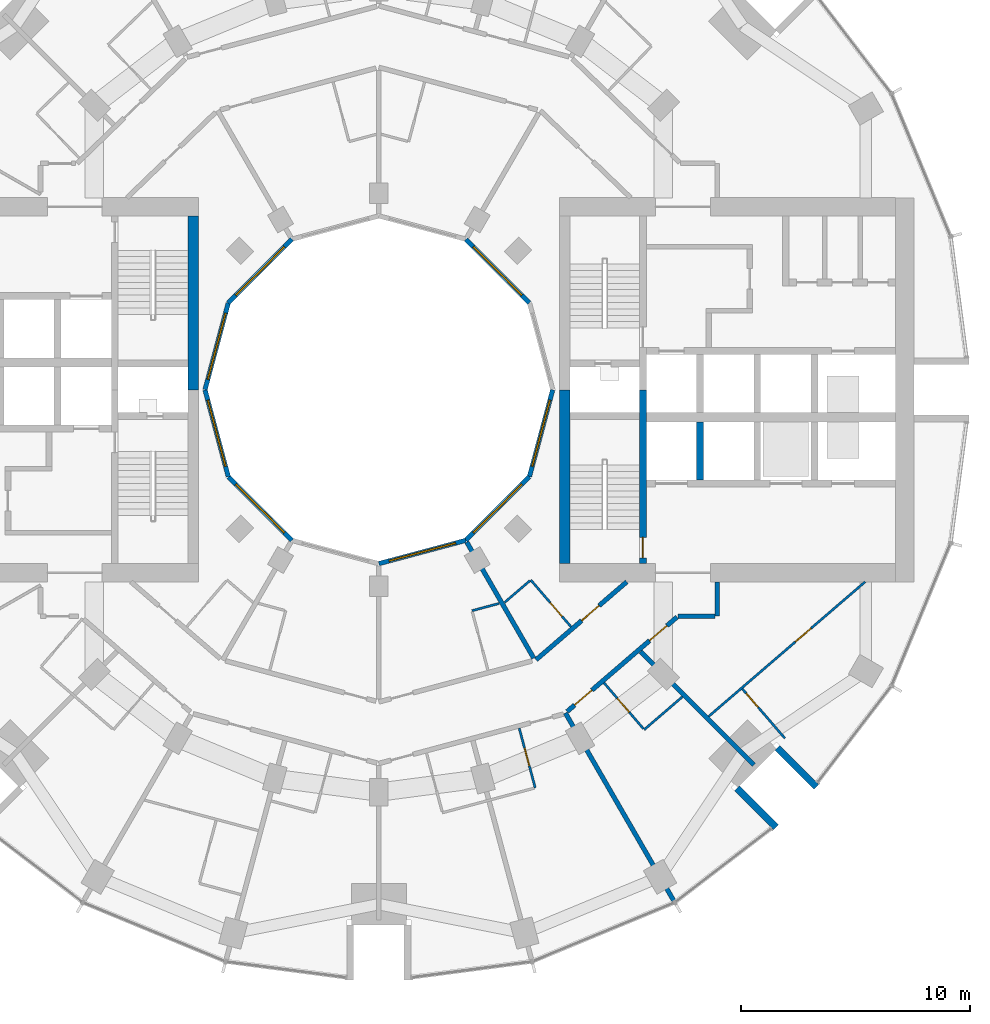
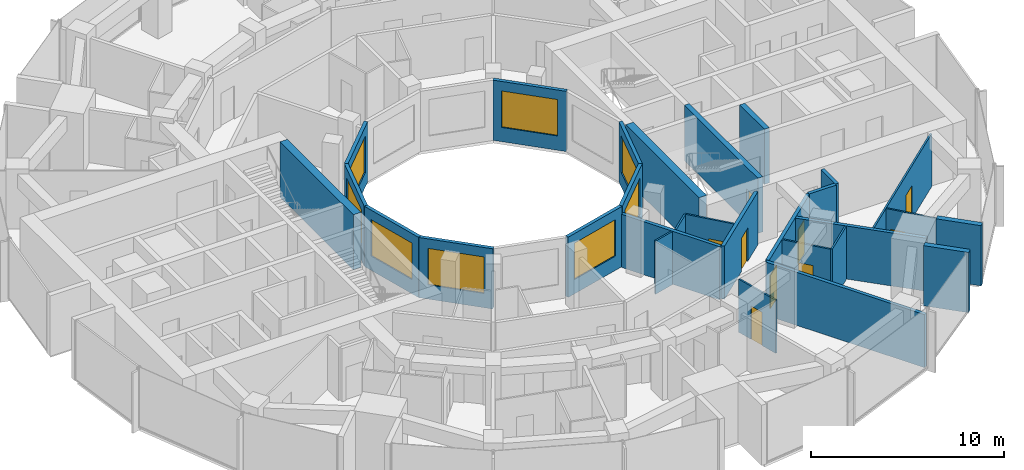
# One storey, part 10 of 15: 29 walls, 9 doors, 8 windows, 17 openings.
"""IFC4 building model written with IfcOpenShell, lengths in metres."""

from ifc_helpers import new_model, si_unit, direction, frame, frame_2d, origin, place, context, subcontext, project, spatial, rectangle, extrude, material, layer, layer_set, type_object, element, fill, save


model = new_model("IFC4")

# Units and contexts
model_context = context("Model", 3, precision=1e-05, world=origin(), true_north=direction((0.0, 1.0)))
body_context = subcontext(model_context, "Body", "Model", "MODEL_VIEW")
ifc_project = project(units=[si_unit("LENGTHUNIT", "METRE"), si_unit("AREAUNIT", "SQUARE_METRE"), si_unit("VOLUMEUNIT", "CUBIC_METRE"), si_unit("PLANEANGLEUNIT", "RADIAN"), si_unit("MASSUNIT", "GRAM", prefix="KILO")], contexts=[model_context])

# Site, building, storey
site_placement = place(None, origin())
site = spatial("IfcSite", under=ifc_project, at=site_placement, CompositionType="ELEMENT")
building_placement = place(site_placement, origin())
building = spatial("IfcBuilding", under=site, at=building_placement, Name="Torre Brocal", CompositionType="ELEMENT")
storey_placement = place(building_placement, frame((0.0, 0.0, 55.39990234375)))
storey = spatial("IfcBuildingStorey", under=building, at=storey_placement, Name="L12", CompositionType="ELEMENT", Elevation=55.39990234375)

# Wall, opening, door
ifc_material_1 = material(Name="Concrete C80", Category="concrete")
ifc_layer_1 = layer(ifc_material_1, 0.300048828125)
ifc_layer_set_1 = layer_set([ifc_layer_1], Name="Concrete C80")
wall_type_1 = type_object("IfcWallType", Name="CORE WALL 300 C80", PredefinedType="SHEAR", material=ifc_layer_set_1)
wall_1_placement = place(storey_placement, frame((91.550048828125, 67.39990234375, 0.0), z_axis=(0.0, 0.0, 1.0), x_axis=(0.0, 1.0, 0.0)))
wall_1 = element("IfcWall", 1, at=wall_1_placement, inside=storey, type_object=wall_type_1, Name="Wall CW300-80", PredefinedType="SHEAR", context=body_context, shape_type="SweptSolid", body=[
    extrude(rectangle(XDim=7.60009765625, YDim=0.300048828125, at=frame_2d((3.800048828125, 0.0))), origin(), (0.0, 0.0, 1.0), 3.47998046875),
])
opening_1_placement = place(wall_1_placement, frame((0.25, 0.0, 0.0)))
opening_1 = element("IfcOpeningElement", 2, at=opening_1_placement, cuts=wall_1, Name="Opening E-D03", PredefinedType="OPENING", context=body_context, shape_type="SweptSolid", body=[
    extrude(rectangle(XDim=0.89990234375, YDim=2.10009765625, at=frame_2d((0.449951171875, 1.050048828125))), frame((0.0, 0.159912109375, 0.0), z_axis=(0.0, -1.0, 0.0), x_axis=(1.0, 0.0, 0.0)), (0.0, 0.0, 1.0), 0.320068359375),
])
ifc_material_2 = material(Name="Steel A653", Category="steel")
door_type_1 = type_object("IfcDoorType", Name="STAIR DOOR FD120 900X2100", OperationType="SINGLE_SWING_RIGHT", PredefinedType="DOOR", material=ifc_material_2)
door_1_placement = place(opening_1_placement, origin())
door_1 = element("IfcDoor", 3, at=door_1_placement, inside=storey, type_object=door_type_1, Name="Door E-D03", OperationType="SINGLE_SWING_LEFT", OverallHeight=2.10009765625, OverallWidth=0.89990234375, PredefinedType="DOOR", context=body_context, shape_type="SweptSolid", body=[
    extrude(rectangle(XDim=0.89990234375, YDim=2.10009765625, at=frame_2d((0.449951171875, 1.050048828125))), frame((0.0, 0.02490234375, 0.0), z_axis=(0.0, -1.0, 0.0), x_axis=(1.0, 0.0, 0.0)), (0.0, 0.0, 1.0), 0.050048828125),
])
fill(opening_1, door_1)

# Walls
wall_2_placement = place(storey_placement, frame((94.050048828125, 71.050048828125, 0.0), z_axis=(0.0, 0.0, 1.0), x_axis=(0.0, 1.0, 0.0)))
element("IfcWall", 4, at=wall_2_placement, inside=storey, type_object=wall_type_1, Name="Wall CW300-80", PredefinedType="SHEAR", context=body_context, shape_type="SweptSolid", body=[
    extrude(rectangle(XDim=2.550048828125, YDim=0.300048828125, at=frame_2d((1.27490234375, 0.0))), origin(), (0.0, 0.0, 1.0), 3.47998046875),
])
ifc_material_3 = material(Name="Concrete C80", Category="concrete")
ifc_layer_2 = layer(ifc_material_3, 0.449951171875)
ifc_layer_set_2 = layer_set([ifc_layer_2], Name="Concrete C80")
wall_type_2 = type_object("IfcWallType", Name="CORE WALL 450 C80", PredefinedType="SHEAR", material=ifc_layer_set_2)
for number, where, z_axis, x_axis, name in (
    (5, (88.125, 67.39990234375, 0.0), (0.0, 0.0, 1.0), (0.0, 1.0, 0.0), "Wall CW450-80"),
    (6, (71.875, 82.60009765625, 0.0), (0.0, 0.0, 1.0), (0.0, -1.0, 0.0), "Wall CW450-80"),
):
    element("IfcWall", number, at=place(storey_placement, frame(where, z_axis=z_axis, x_axis=x_axis)), inside=storey, type_object=wall_type_2, Name=name, PredefinedType="SHEAR", context=body_context, shape_type="SweptSolid", body=[
        extrude(rectangle(XDim=7.60009765625, YDim=0.449951171875, at=frame_2d((3.800048828125, 0.0))), origin(), (0.0, 0.0, 1.0), 3.47998046875),
    ])
ifc_material_4 = material(Name="Concrete C80", Category="concrete")
ifc_layer_3 = layer(ifc_material_4, 0.300048828125)
ifc_layer_set_3 = layer_set([ifc_layer_3], Name="Concrete C80")
wall_type_3 = type_object("IfcWallType", Name="NOTCH RETURN WALL 300 C80", PredefinedType="NOTDEFINED", material=ifc_layer_set_3)
for number, where, z_axis, x_axis, name in (
    (7, (95.662353515625, 57.56982421875, 0.0), (0.0, 0.0, 1.0), (0.707106781187, -0.707106781187, 0.0), "NOTCH RETURN WALL"),
    (8, (97.43017578125, 59.337646484375, 0.0), (0.0, 0.0, 1.0), (0.707106781187, -0.707106781187, 0.0), "NOTCH RETURN WALL"),
):
    element("IfcWall", number, at=place(storey_placement, frame(where, z_axis=z_axis, x_axis=x_axis)), inside=storey, type_object=wall_type_3, Name=name, PredefinedType="NOTDEFINED", context=body_context, shape_type="SweptSolid", body=[
        extrude(rectangle(XDim=2.415771484375, YDim=0.300048828125, at=frame_2d((1.2080078125, 0.0))), origin(), (0.0, 0.0, 1.0), 3.800048828125),
    ])
ifc_material_5 = material(Name="Gypsum board", Category="Gypsum")
ifc_layer_4 = layer(ifc_material_5, 0.10009765625)
ifc_layer_set_4 = layer_set([ifc_layer_4], Name="Gypsum board")
wall_type_4 = type_object("IfcWallType", Name="PARTITION 100", PredefinedType="PARTITIONING", material=ifc_layer_set_4)
wall_3_placement = place(storey_placement, frame((84.073974609375, 65.3369140625, 0.0), z_axis=(0.0, 0.0, 1.0), x_axis=(0.965914351064, 0.258861867428, 0.0)))
element("IfcWall", 9, at=wall_3_placement, inside=storey, type_object=wall_type_4, Name="BATHROOM WALL", PredefinedType="PARTITIONING", context=body_context, shape_type="SweptSolid", body=[
    extrude(rectangle(XDim=1.22900390625, YDim=0.10009765625, at=frame_2d((0.614501953125, 0.0))), origin(), (0.0, 0.0, 1.0), 3.35009765625),
])
wall_4_placement = place(storey_placement, frame((85.497314453125, 65.69580078125, 0.0), z_axis=(0.0, 0.0, 1.0), x_axis=(0.75817032582, 0.652056559698, 0.0)))
element("IfcWall", 10, at=wall_4_placement, inside=storey, type_object=wall_type_4, Name="BATHROOM WALL", PredefinedType="PARTITIONING", context=body_context, shape_type="SweptSolid", body=[
    extrude(rectangle(XDim=1.4609375, YDim=0.10009765625, at=frame_2d((0.73046875, 0.0))), origin(), (0.0, 0.0, 1.0), 3.35009765625),
])

# Wall, opening, door
wall_5_placement = place(storey_placement, frame((86.139892578125, 60.196044921875, 0.0), z_axis=(0.0, 0.0, 1.0), x_axis=(0.258945475746, -0.965891940432, 0.0)))
wall_5 = element("IfcWall", 11, at=wall_5_placement, inside=storey, type_object=wall_type_4, Name="BATHROOM WALL", PredefinedType="PARTITIONING", context=body_context, shape_type="SweptSolid", body=[
    extrude(rectangle(XDim=2.7001953125, YDim=0.10009765625, at=frame_2d((1.35009765625, 0.0))), origin(), (0.0, 0.0, 1.0), 3.35009765625),
])
opening_2_placement = place(wall_5_placement, frame((0.89990234375, 0.0, 0.0)))
opening_2 = element("IfcOpeningElement", 12, at=opening_2_placement, cuts=wall_5, Name="Opening H03-D26", PredefinedType="OPENING", context=body_context, shape_type="SweptSolid", body=[
    extrude(rectangle(XDim=0.800048828125, YDim=2.10009765625, at=frame_2d((0.39990234375, 1.050048828125))), frame((0.0, 0.06005859375, 0.0), z_axis=(0.0, -1.0, 0.0), x_axis=(1.0, 0.0, 0.0)), (0.0, 0.0, 1.0), 0.1201171875),
])
ifc_material_6 = material(Name="Timber", Category="wood")
door_type_2 = type_object("IfcDoorType", Name="BATHROOM DOOR 800X2100", OperationType="SINGLE_SWING_LEFT", PredefinedType="DOOR", material=ifc_material_6)
door_2_placement = place(opening_2_placement, frame((0.800048828125, 0.0, 0.0), z_axis=(0.0, 0.0, 1.0), x_axis=(-1.0, 0.0, 0.0)))
door_2 = element("IfcDoor", 13, at=door_2_placement, inside=storey, type_object=door_type_2, Name="H03-D26", OperationType="SINGLE_SWING_RIGHT", OverallHeight=2.10009765625, OverallWidth=0.800048828125, PredefinedType="DOOR", context=body_context, shape_type="SweptSolid", body=[
    extrude(rectangle(XDim=0.800048828125, YDim=2.10009765625, at=frame_2d((0.39990234375, 1.050048828125))), frame((0.0, 0.02490234375, 0.0), z_axis=(0.0, -1.0, 0.0), x_axis=(1.0, 0.0, 0.0)), (0.0, 0.0, 1.0), 0.050048828125),
])
fill(opening_2, door_2)

wall_6_placement = place(storey_placement, frame((86.64306640625, 66.680908203125, 0.0), z_axis=(0.0, 0.0, 1.0), x_axis=(0.652264876065, -0.757991115682, 0.0)))
wall_6 = element("IfcWall", 14, at=wall_6_placement, inside=storey, type_object=wall_type_4, Name="BATHROOM WALL", PredefinedType="PARTITIONING", context=body_context, shape_type="SweptSolid", body=[
    extrude(rectangle(XDim=2.699462890625, YDim=0.10009765625, at=frame_2d((1.349609375, 0.0))), origin(), (0.0, 0.0, 1.0), 3.35009765625),
])
opening_3_placement = place(wall_6_placement, frame((1.2998046875, 0.0, 0.0)))
opening_3 = element("IfcOpeningElement", 15, at=opening_3_placement, cuts=wall_6, Name="Opening H03-D40", PredefinedType="OPENING", context=body_context, shape_type="SweptSolid", body=[
    extrude(rectangle(XDim=0.800048828125, YDim=2.10009765625, at=frame_2d((0.39990234375, 1.050048828125))), frame((0.0, 0.06005859375, 0.0), z_axis=(0.0, -1.0, 0.0), x_axis=(1.0, 0.0, 0.0)), (0.0, 0.0, 1.0), 0.1201171875),
])
door_3_placement = place(opening_3_placement, frame((0.800048828125, 0.0, 0.0), z_axis=(0.0, 0.0, 1.0), x_axis=(-1.0, 0.0, 0.0)))
door_3 = element("IfcDoor", 16, at=door_3_placement, inside=storey, type_object=door_type_2, Name="H03-D40", OperationType="SINGLE_SWING_LEFT", OverallHeight=2.10009765625, OverallWidth=0.800048828125, PredefinedType="DOOR", context=body_context, shape_type="SweptSolid", body=[
    extrude(rectangle(XDim=0.800048828125, YDim=2.10009765625, at=frame_2d((0.39990234375, 1.050048828125))), frame((0.0, 0.02490234375, 0.0), z_axis=(0.0, -1.0, 0.0), x_axis=(1.0, 0.0, 0.0)), (0.0, 0.0, 1.0), 0.050048828125),
])
fill(opening_3, door_3)

wall_7_placement = place(storey_placement, frame((89.846435546875, 62.181884765625, 0.0), z_axis=(0.0, 0.0, 1.0), x_axis=(0.652095405055, -0.758136915541, 0.0)))
wall_7 = element("IfcWall", 17, at=wall_7_placement, inside=storey, type_object=wall_type_4, Name="BATHROOM WALL", PredefinedType="PARTITIONING", context=body_context, shape_type="SweptSolid", body=[
    extrude(rectangle(XDim=2.64990234375, YDim=0.10009765625, at=frame_2d((1.324951171875, 0.0))), origin(), (0.0, 0.0, 1.0), 3.35009765625),
])
opening_4_placement = place(wall_7_placement, frame((0.899658203125, 0.0, 0.0)))
opening_4 = element("IfcOpeningElement", 18, at=opening_4_placement, cuts=wall_7, Name="Opening H03-D24", PredefinedType="OPENING", context=body_context, shape_type="SweptSolid", body=[
    extrude(rectangle(XDim=0.800048828125, YDim=2.10009765625, at=frame_2d((0.39990234375, 1.050048828125))), frame((0.0, 0.06005859375, 0.0), z_axis=(0.0, -1.0, 0.0), x_axis=(1.0, 0.0, 0.0)), (0.0, 0.0, 1.0), 0.1201171875),
])
door_4_placement = place(opening_4_placement, origin())
door_4 = element("IfcDoor", 19, at=door_4_placement, inside=storey, type_object=door_type_2, Name="H03-D24", OperationType="SINGLE_SWING_LEFT", OverallHeight=2.10009765625, OverallWidth=0.800048828125, PredefinedType="DOOR", context=body_context, shape_type="SweptSolid", body=[
    extrude(rectangle(XDim=0.800048828125, YDim=2.10009765625, at=frame_2d((0.39990234375, 1.050048828125))), frame((0.0, 0.02490234375, 0.0), z_axis=(0.0, -1.0, 0.0), x_axis=(1.0, 0.0, 0.0)), (0.0, 0.0, 1.0), 0.050048828125),
])
fill(opening_4, door_4)

# Wall
wall_8_placement = place(storey_placement, frame((91.60693359375, 60.135009765625, 0.0), z_axis=(0.0, 0.0, 1.0), x_axis=(0.758135842672, 0.652096652388, 0.0)))
element("IfcWall", 20, at=wall_8_placement, inside=storey, type_object=wall_type_4, Name="BATHROOM WALL", PredefinedType="PARTITIONING", context=body_context, shape_type="SweptSolid", body=[
    extrude(rectangle(XDim=2.201171875, YDim=0.10009765625, at=frame_2d((1.1005859375, 0.0))), origin(), (0.0, 0.0, 1.0), 3.35009765625),
])

# Wall, opening, door
wall_9_placement = place(storey_placement, frame((94.427734375, 60.715087890625, 0.0), z_axis=(0.0, 0.0, 1.0), x_axis=(0.758117248367, 0.65211826974, 0.0)))
wall_9 = element("IfcWall", 21, at=wall_9_placement, inside=storey, type_object=wall_type_4, Name="BATHROOM WALL", PredefinedType="PARTITIONING", context=body_context, shape_type="SweptSolid", body=[
    extrude(rectangle(XDim=9.024169921875, YDim=0.10009765625, at=frame_2d((4.51220703125, 0.0))), origin(), (0.0, 0.0, 1.0), 3.35009765625),
])
opening_5_placement = place(wall_9_placement, frame((5.001953125, 0.0, 0.0)))
opening_5 = element("IfcOpeningElement", 22, at=opening_5_placement, cuts=wall_9, Name="Opening H03-D21", PredefinedType="OPENING", context=body_context, shape_type="SweptSolid", body=[
    extrude(rectangle(XDim=0.89990234375, YDim=2.10009765625, at=frame_2d((0.449951171875, 1.050048828125))), frame((0.0, 0.06005859375, 0.0), z_axis=(0.0, -1.0, 0.0), x_axis=(1.0, 0.0, 0.0)), (0.0, 0.0, 1.0), 0.1201171875),
])
ifc_material_7 = material(Name="Timber", Category="wood")
door_type_3 = type_object("IfcDoorType", Name="ROOM DOOR 900X2100", OperationType="SINGLE_SWING_LEFT", PredefinedType="DOOR", material=ifc_material_7)
door_5_placement = place(opening_5_placement, origin())
door_5 = element("IfcDoor", 23, at=door_5_placement, inside=storey, type_object=door_type_3, Name="H03-D21", OperationType="SINGLE_SWING_RIGHT", OverallHeight=2.10009765625, OverallWidth=0.89990234375, PredefinedType="DOOR", context=body_context, shape_type="SweptSolid", body=[
    extrude(rectangle(XDim=0.89990234375, YDim=2.10009765625, at=frame_2d((0.449951171875, 1.050048828125))), frame((0.0, 0.02490234375, 0.0), z_axis=(0.0, -1.0, 0.0), x_axis=(1.0, 0.0, 0.0)), (0.0, 0.0, 1.0), 0.050048828125),
])
fill(opening_5, door_5)

wall_10_placement = place(storey_placement, frame((95.900634765625, 61.916015625, 0.0), z_axis=(0.0, 0.0, 1.0), x_axis=(0.652215581117, -0.758033532074, 0.0)))
wall_10 = element("IfcWall", 24, at=wall_10_placement, inside=storey, type_object=wall_type_4, Name="BATHROOM WALL", PredefinedType="PARTITIONING", context=body_context, shape_type="SweptSolid", body=[
    extrude(rectangle(XDim=2.849365234375, YDim=0.10009765625, at=frame_2d((1.4248046875, 0.0))), origin(), (0.0, 0.0, 1.0), 3.35009765625),
])
opening_6_placement = place(wall_10_placement, frame((0.249755859375, 0.0, 0.0)))
opening_6 = element("IfcOpeningElement", 25, at=opening_6_placement, cuts=wall_10, Name="Opening H03-D22", PredefinedType="OPENING", context=body_context, shape_type="SweptSolid", body=[
    extrude(rectangle(XDim=0.800048828125, YDim=2.10009765625, at=frame_2d((0.39990234375, 1.050048828125))), frame((0.0, 0.06005859375, 0.0), z_axis=(0.0, -1.0, 0.0), x_axis=(1.0, 0.0, 0.0)), (0.0, 0.0, 1.0), 0.1201171875),
])
door_6_placement = place(opening_6_placement, frame((0.800048828125, 0.0, 0.0), z_axis=(0.0, 0.0, 1.0), x_axis=(-1.0, 0.0, 0.0)))
door_6 = element("IfcDoor", 26, at=door_6_placement, inside=storey, type_object=door_type_2, Name="H03-D22", OperationType="SINGLE_SWING_RIGHT", OverallHeight=2.10009765625, OverallWidth=0.800048828125, PredefinedType="DOOR", context=body_context, shape_type="SweptSolid", body=[
    extrude(rectangle(XDim=0.800048828125, YDim=2.10009765625, at=frame_2d((0.39990234375, 1.050048828125))), frame((0.0, 0.02490234375, 0.0), z_axis=(0.0, -1.0, 0.0), x_axis=(1.0, 0.0, 0.0)), (0.0, 0.0, 1.0), 0.050048828125),
])
fill(opening_6, door_6)

# Wall
ifc_material_8 = material(Name="Gypsum board", Category="Gypsum")
ifc_layer_5 = layer(ifc_material_8, 0.199951171875)
ifc_layer_set_5 = layer_set([ifc_layer_5], Name="Gypsum board")
wall_type_5 = type_object("IfcWallType", Name="PARTITION 200 EI60", PredefinedType="PARTITIONING", material=ifc_layer_set_5)
wall_11_placement = place(storey_placement, frame((83.84765625, 68.332275390625, 0.0), z_axis=(0.0, 0.0, 1.0), x_axis=(0.499901724708, -0.866082135617, 0.0)))
element("IfcWall", 27, at=wall_11_placement, inside=storey, type_object=wall_type_5, Name="BATHROOM WALL", PredefinedType="PARTITIONING", context=body_context, shape_type="SweptSolid", body=[
    extrude(rectangle(XDim=5.855224609375, YDim=0.199951171875, at=frame_2d((2.927734375, 0.0))), origin(), (0.0, 0.0, 1.0), 3.35009765625),
])

# Wall, opening, door
wall_12_placement = place(storey_placement, frame((86.876953125, 63.189208984375, 0.0), z_axis=(0.0, 0.0, 1.0), x_axis=(0.758164888471, 0.652062881853, 0.0)))
wall_12 = element("IfcWall", 28, at=wall_12_placement, inside=storey, type_object=wall_type_5, Name="GUESTROOM CORRIDOR WALL", PredefinedType="PARTITIONING", context=body_context, shape_type="SweptSolid", body=[
    extrude(rectangle(XDim=5.230224609375, YDim=0.199951171875, at=frame_2d((2.615234375, 0.0))), origin(), (0.0, 0.0, 1.0), 3.35009765625),
])
opening_7_placement = place(wall_12_placement, frame((2.63037109375, 0.0, 0.0)))
opening_7 = element("IfcOpeningElement", 29, at=opening_7_placement, cuts=wall_12, Name="Opening H03-D39", PredefinedType="OPENING", context=body_context, shape_type="SweptSolid", body=[
    extrude(rectangle(XDim=1.0, YDim=2.10009765625, at=frame_2d((0.5, 1.050048828125))), frame((0.0, 0.10986328125, 0.0), z_axis=(0.0, -1.0, 0.0), x_axis=(1.0, 0.0, 0.0)), (0.0, 0.0, 1.0), 0.219970703125),
])
ifc_material_9 = material(Name="Timber", Category="wood")
door_type_4 = type_object("IfcDoorType", Name="FLAT ENTRY DOOR FD30S 1000X2100", OperationType="SINGLE_SWING_RIGHT", PredefinedType="DOOR", material=ifc_material_9)
door_7_placement = place(opening_7_placement, origin())
door_7 = element("IfcDoor", 30, at=door_7_placement, inside=storey, type_object=door_type_4, Name="H03-D39", OperationType="SINGLE_SWING_LEFT", OverallHeight=2.10009765625, OverallWidth=1.0, PredefinedType="DOOR", context=body_context, shape_type="SweptSolid", body=[
    extrude(rectangle(XDim=1.0, YDim=2.10009765625, at=frame_2d((0.5, 1.050048828125))), frame((0.0, 0.02490234375, 0.0), z_axis=(0.0, -1.0, 0.0), x_axis=(1.0, 0.0, 0.0)), (0.0, 0.0, 1.0), 0.050048828125),
])
fill(opening_7, door_7)

# Wall, openings, doors
wall_13_placement = place(storey_placement, frame((88.236328125, 60.92919921875, 0.0), z_axis=(0.0, 0.0, 1.0), x_axis=(0.758227485202, 0.651990092474, 0.0)))
wall_13 = element("IfcWall", 31, at=wall_13_placement, inside=storey, type_object=wall_type_5, Name="FLAT ENTRANCE WALL", PredefinedType="PARTITIONING", context=body_context, shape_type="SweptSolid", body=[
    extrude(rectangle(XDim=6.335693359375, YDim=0.199951171875, at=frame_2d((3.16796875, 0.0))), origin(), (0.0, 0.0, 1.0), 3.35009765625),
])
opening_8_placement = place(wall_13_placement, frame((4.7568359375, 0.0, 0.0)))
opening_8 = element("IfcOpeningElement", 32, at=opening_8_placement, cuts=wall_13, Name="Opening H03-D20", PredefinedType="OPENING", context=body_context, shape_type="SweptSolid", body=[
    extrude(rectangle(XDim=1.0, YDim=2.10009765625, at=frame_2d((0.5, 1.050048828125))), frame((0.0, 0.10986328125, 0.0), z_axis=(0.0, -1.0, 0.0), x_axis=(1.0, 0.0, 0.0)), (0.0, 0.0, 1.0), 0.219970703125),
])
opening_9_placement = place(wall_13_placement, frame((0.430419921875, 0.0, 0.0)))
opening_9 = element("IfcOpeningElement", 33, at=opening_9_placement, cuts=wall_13, Name="Opening H03-D23", PredefinedType="OPENING", context=body_context, shape_type="SweptSolid", body=[
    extrude(rectangle(XDim=1.0, YDim=2.10009765625, at=frame_2d((0.5, 1.050048828125))), frame((0.0, 0.10986328125, 0.0), z_axis=(0.0, -1.0, 0.0), x_axis=(1.0, 0.0, 0.0)), (0.0, 0.0, 1.0), 0.219970703125),
])
door_8_placement = place(opening_8_placement, frame((1.0, 0.0, 0.0), z_axis=(0.0, 0.0, 1.0), x_axis=(-1.0, 0.0, 0.0)))
door_8 = element("IfcDoor", 34, at=door_8_placement, inside=storey, type_object=door_type_4, Name="H03-D20", OperationType="SINGLE_SWING_RIGHT", OverallHeight=2.10009765625, OverallWidth=1.0, PredefinedType="DOOR", context=body_context, shape_type="SweptSolid", body=[
    extrude(rectangle(XDim=1.0, YDim=2.10009765625, at=frame_2d((0.5, 1.050048828125))), frame((0.0, 0.02490234375, 0.0), z_axis=(0.0, -1.0, 0.0), x_axis=(1.0, 0.0, 0.0)), (0.0, 0.0, 1.0), 0.050048828125),
])
fill(opening_8, door_8)
door_9_placement = place(opening_9_placement, frame((1.0, 0.0, 0.0), z_axis=(0.0, 0.0, 1.0), x_axis=(-1.0, 0.0, 0.0)))
door_9 = element("IfcDoor", 35, at=door_9_placement, inside=storey, type_object=door_type_4, Name="H03-D23", OperationType="SINGLE_SWING_RIGHT", OverallHeight=2.10009765625, OverallWidth=1.0, PredefinedType="DOOR", context=body_context, shape_type="SweptSolid", body=[
    extrude(rectangle(XDim=1.0, YDim=2.10009765625, at=frame_2d((0.5, 1.050048828125))), frame((0.0, 0.02490234375, 0.0), z_axis=(0.0, -1.0, 0.0), x_axis=(1.0, 0.0, 0.0)), (0.0, 0.0, 1.0), 0.050048828125),
])
fill(opening_9, door_9)

# Walls
wall_14_placement = place(storey_placement, frame((88.1591796875, 60.86279296875, 0.0), z_axis=(0.0, 0.0, 1.0), x_axis=(0.499886028459, -0.866091195286, 0.0)))
element("IfcWall", 36, at=wall_14_placement, inside=storey, type_object=wall_type_5, Name="PARTY PARTITION", PredefinedType="PARTITIONING", context=body_context, shape_type="SweptSolid", body=[
    extrude(rectangle(XDim=9.474853515625, YDim=0.199951171875, at=frame_2d((4.7373046875, 0.0))), origin(), (0.0, 0.0, 1.0), 3.35009765625),
])
wall_15_placement = place(storey_placement, frame((91.44921875, 63.5478515625, 0.0), z_axis=(0.0, 0.0, 1.0), x_axis=(0.706984810649, -0.707228730688, 0.0)))
element("IfcWall", 37, at=wall_15_placement, inside=storey, type_object=wall_type_5, Name="BATHROOM WALL", PredefinedType="PARTITIONING", context=body_context, shape_type="SweptSolid", body=[
    extrude(rectangle(XDim=7.00634765625, YDim=0.199951171875, at=frame_2d((3.503173828125, 0.0))), origin(), (0.0, 0.0, 1.0), 3.35009765625),
])
wall_16_placement = place(storey_placement, frame((93.0849609375, 65.10009765625, 0.0), z_axis=(0.0, 0.0, 1.0), x_axis=(1.0, 0.0, 0.0)))
element("IfcWall", 38, at=wall_16_placement, inside=storey, type_object=wall_type_5, Name="FLAT ENTRANCE WALL", PredefinedType="PARTITIONING", context=body_context, shape_type="SweptSolid", body=[
    extrude(rectangle(XDim=1.614990234375, YDim=0.199951171875, at=frame_2d((0.8076171875, 0.0))), origin(), (0.0, 0.0, 1.0), 3.35009765625),
])
wall_17_placement = place(storey_placement, frame((94.800048828125, 65.10009765625, 0.0), z_axis=(0.0, 0.0, 1.0), x_axis=(0.0, 1.0, 0.0)))
element("IfcWall", 39, at=wall_17_placement, inside=storey, type_object=wall_type_5, Name="FLAT ENTRANCE WALL", PredefinedType="PARTITIONING", context=body_context, shape_type="SweptSolid", body=[
    extrude(rectangle(XDim=1.4990234375, YDim=0.199951171875, at=frame_2d((0.74951171875, 0.0))), origin(), (0.0, 0.0, 1.0), 3.35009765625),
])

# Wall, opening, window
ifc_material_10 = material(Name="Concrete C40", Category="concrete")
ifc_layer_6 = layer(ifc_material_10, 0.199951171875)
ifc_layer_set_6 = layer_set([ifc_layer_6], Name="Concrete C40")
wall_type_6 = type_object("IfcWallType", Name="WELL FACADE WALL 200", PredefinedType="NOTDEFINED", material=ifc_layer_set_6)
wall_18_placement = place(storey_placement, frame((86.5849609375, 78.8017578125, 0.0), z_axis=(0.0, 0.0, 1.0), x_axis=(-0.707106781187, 0.707106781187, 0.0)))
wall_18 = element("IfcWall", 40, at=wall_18_placement, inside=storey, type_object=wall_type_6, Name="WELL FACADE WALL", PredefinedType="NOTDEFINED", context=body_context, shape_type="SweptSolid", body=[
    extrude(rectangle(XDim=3.93603515625, YDim=0.199951171875, at=frame_2d((1.968017578125, 0.0))), origin(), (0.0, 0.0, 1.0), 3.800048828125),
])
opening_10_placement = place(wall_18_placement, frame((0.468017578125, 0.0, 0.89990234375)))
opening_10 = element("IfcOpeningElement", 41, at=opening_10_placement, cuts=wall_18, Name="Opening W1", PredefinedType="OPENING", context=body_context, shape_type="SweptSolid", body=[
    extrude(rectangle(XDim=3.0, YDim=2.300048828125, at=frame_2d((1.5, 1.14990234375))), frame((0.0, 0.10986328125, 0.0), z_axis=(0.0, -1.0, 0.0), x_axis=(1.0, 0.0, 0.0)), (0.0, 0.0, 1.0), 0.219970703125),
])
ifc_material_11 = material(Name="Aluminium and glass", Category="aluminium")
window_type = type_object("IfcWindowType", Name="WELL WINDOW 3000X2300", PartitioningType="SINGLE_PANEL", PredefinedType="WINDOW", material=ifc_material_11)
window_1_placement = place(opening_10_placement, origin())
window_1 = element("IfcWindow", 42, at=window_1_placement, inside=storey, type_object=window_type, Name="WELL WINDOW 3000X2300", OverallHeight=2.300048828125, OverallWidth=3.0, PartitioningType="SINGLE_PANEL", PredefinedType="WINDOW", context=body_context, shape_type="SweptSolid", body=[
    extrude(rectangle(XDim=3.0, YDim=2.300048828125, at=frame_2d((1.5, 1.14990234375))), frame((0.0, 0.030029296875, 0.0), z_axis=(0.0, -1.0, 0.0), x_axis=(1.0, 0.0, 0.0)), (0.0, 0.0, 1.0), 0.06005859375),
])
fill(opening_10, window_1)

wall_19_placement = place(storey_placement, frame((76.1982421875, 81.5849609375, 0.0), z_axis=(0.0, 0.0, 1.0), x_axis=(-0.707106781187, -0.707106781187, 0.0)))
wall_19 = element("IfcWall", 43, at=wall_19_placement, inside=storey, type_object=wall_type_6, Name="WELL FACADE WALL", PredefinedType="NOTDEFINED", context=body_context, shape_type="SweptSolid", body=[
    extrude(rectangle(XDim=3.93603515625, YDim=0.199951171875, at=frame_2d((1.968017578125, 0.0))), origin(), (0.0, 0.0, 1.0), 3.800048828125),
])
opening_11_placement = place(wall_19_placement, frame((0.468017578125, 0.0, 0.89990234375)))
opening_11 = element("IfcOpeningElement", 44, at=opening_11_placement, cuts=wall_19, Name="Opening W1", PredefinedType="OPENING", context=body_context, shape_type="SweptSolid", body=[
    extrude(rectangle(XDim=3.0, YDim=2.300048828125, at=frame_2d((1.5, 1.14990234375))), frame((0.0, 0.10986328125, 0.0), z_axis=(0.0, -1.0, 0.0), x_axis=(1.0, 0.0, 0.0)), (0.0, 0.0, 1.0), 0.219970703125),
])
window_2_placement = place(opening_11_placement, origin())
window_2 = element("IfcWindow", 45, at=window_2_placement, inside=storey, type_object=window_type, Name="WELL WINDOW 3000X2300", OverallHeight=2.300048828125, OverallWidth=3.0, PartitioningType="SINGLE_PANEL", PredefinedType="WINDOW", context=body_context, shape_type="SweptSolid", body=[
    extrude(rectangle(XDim=3.0, YDim=2.300048828125, at=frame_2d((1.5, 1.14990234375))), frame((0.0, 0.030029296875, 0.0), z_axis=(0.0, -1.0, 0.0), x_axis=(1.0, 0.0, 0.0)), (0.0, 0.0, 1.0), 0.06005859375),
])
fill(opening_11, window_2)

wall_20_placement = place(storey_placement, frame((73.4150390625, 78.8017578125, 0.0), z_axis=(0.0, 0.0, 1.0), x_axis=(-0.258789828301, -0.965933654434, 0.0)))
wall_20 = element("IfcWall", 46, at=wall_20_placement, inside=storey, type_object=wall_type_6, Name="WELL FACADE WALL", PredefinedType="NOTDEFINED", context=body_context, shape_type="SweptSolid", body=[
    extrude(rectangle(XDim=3.935791015625, YDim=0.199951171875, at=frame_2d((1.9677734375, 0.0))), origin(), (0.0, 0.0, 1.0), 3.800048828125),
])
opening_12_placement = place(wall_20_placement, frame((0.468017578125, 0.0, 0.89990234375)))
opening_12 = element("IfcOpeningElement", 47, at=opening_12_placement, cuts=wall_20, Name="Opening W1", PredefinedType="OPENING", context=body_context, shape_type="SweptSolid", body=[
    extrude(rectangle(XDim=3.0, YDim=2.300048828125, at=frame_2d((1.5, 1.14990234375))), frame((0.0, 0.10986328125, 0.0), z_axis=(0.0, -1.0, 0.0), x_axis=(1.0, 0.0, 0.0)), (0.0, 0.0, 1.0), 0.219970703125),
])
window_3_placement = place(opening_12_placement, origin())
window_3 = element("IfcWindow", 48, at=window_3_placement, inside=storey, type_object=window_type, Name="WELL WINDOW 3000X2300", OverallHeight=2.300048828125, OverallWidth=3.0, PartitioningType="SINGLE_PANEL", PredefinedType="WINDOW", context=body_context, shape_type="SweptSolid", body=[
    extrude(rectangle(XDim=3.0, YDim=2.300048828125, at=frame_2d((1.5, 1.14990234375))), frame((0.0, 0.030029296875, 0.0), z_axis=(0.0, -1.0, 0.0), x_axis=(1.0, 0.0, 0.0)), (0.0, 0.0, 1.0), 0.06005859375),
])
fill(opening_12, window_3)

wall_21_placement = place(storey_placement, frame((72.396484375, 75.0, 0.0), z_axis=(0.0, 0.0, 1.0), x_axis=(0.258789828301, -0.965933654434, 0.0)))
wall_21 = element("IfcWall", 49, at=wall_21_placement, inside=storey, type_object=wall_type_6, Name="WELL FACADE WALL", PredefinedType="NOTDEFINED", context=body_context, shape_type="SweptSolid", body=[
    extrude(rectangle(XDim=3.935791015625, YDim=0.199951171875, at=frame_2d((1.9677734375, 0.0))), origin(), (0.0, 0.0, 1.0), 3.800048828125),
])
opening_13_placement = place(wall_21_placement, frame((0.468017578125, 0.0, 0.89990234375)))
opening_13 = element("IfcOpeningElement", 50, at=opening_13_placement, cuts=wall_21, Name="Opening W1", PredefinedType="OPENING", context=body_context, shape_type="SweptSolid", body=[
    extrude(rectangle(XDim=3.0, YDim=2.300048828125, at=frame_2d((1.5, 1.14990234375))), frame((0.0, 0.10986328125, 0.0), z_axis=(0.0, -1.0, 0.0), x_axis=(1.0, 0.0, 0.0)), (0.0, 0.0, 1.0), 0.219970703125),
])
window_4_placement = place(opening_13_placement, origin())
window_4 = element("IfcWindow", 51, at=window_4_placement, inside=storey, type_object=window_type, Name="WELL WINDOW 3000X2300", OverallHeight=2.300048828125, OverallWidth=3.0, PartitioningType="SINGLE_PANEL", PredefinedType="WINDOW", context=body_context, shape_type="SweptSolid", body=[
    extrude(rectangle(XDim=3.0, YDim=2.300048828125, at=frame_2d((1.5, 1.14990234375))), frame((0.0, 0.030029296875, 0.0), z_axis=(0.0, -1.0, 0.0), x_axis=(1.0, 0.0, 0.0)), (0.0, 0.0, 1.0), 0.06005859375),
])
fill(opening_13, window_4)

wall_22_placement = place(storey_placement, frame((73.4150390625, 71.1982421875, 0.0), z_axis=(0.0, 0.0, 1.0), x_axis=(0.707106781187, -0.707106781187, 0.0)))
wall_22 = element("IfcWall", 52, at=wall_22_placement, inside=storey, type_object=wall_type_6, Name="WELL FACADE WALL", PredefinedType="NOTDEFINED", context=body_context, shape_type="SweptSolid", body=[
    extrude(rectangle(XDim=3.93603515625, YDim=0.199951171875, at=frame_2d((1.968017578125, 0.0))), origin(), (0.0, 0.0, 1.0), 3.800048828125),
])
opening_14_placement = place(wall_22_placement, frame((0.468017578125, 0.0, 0.89990234375)))
opening_14 = element("IfcOpeningElement", 53, at=opening_14_placement, cuts=wall_22, Name="Opening W1", PredefinedType="OPENING", context=body_context, shape_type="SweptSolid", body=[
    extrude(rectangle(XDim=3.0, YDim=2.300048828125, at=frame_2d((1.5, 1.14990234375))), frame((0.0, 0.10986328125, 0.0), z_axis=(0.0, -1.0, 0.0), x_axis=(1.0, 0.0, 0.0)), (0.0, 0.0, 1.0), 0.219970703125),
])
window_5_placement = place(opening_14_placement, origin())
window_5 = element("IfcWindow", 54, at=window_5_placement, inside=storey, type_object=window_type, Name="WELL WINDOW 3000X2300", OverallHeight=2.300048828125, OverallWidth=3.0, PartitioningType="SINGLE_PANEL", PredefinedType="WINDOW", context=body_context, shape_type="SweptSolid", body=[
    extrude(rectangle(XDim=3.0, YDim=2.300048828125, at=frame_2d((1.5, 1.14990234375))), frame((0.0, 0.030029296875, 0.0), z_axis=(0.0, -1.0, 0.0), x_axis=(1.0, 0.0, 0.0)), (0.0, 0.0, 1.0), 0.06005859375),
])
fill(opening_14, window_5)

wall_23_placement = place(storey_placement, frame((80.0, 67.396484375, 0.0), z_axis=(0.0, 0.0, 1.0), x_axis=(0.965933654434, 0.258789828301, 0.0)))
wall_23 = element("IfcWall", 55, at=wall_23_placement, inside=storey, type_object=wall_type_6, Name="WELL FACADE WALL", PredefinedType="NOTDEFINED", context=body_context, shape_type="SweptSolid", body=[
    extrude(rectangle(XDim=3.935791015625, YDim=0.199951171875, at=frame_2d((1.9677734375, 0.0))), origin(), (0.0, 0.0, 1.0), 3.800048828125),
])
opening_15_placement = place(wall_23_placement, frame((0.468017578125, 0.0, 0.89990234375)))
opening_15 = element("IfcOpeningElement", 56, at=opening_15_placement, cuts=wall_23, Name="Opening W1", PredefinedType="OPENING", context=body_context, shape_type="SweptSolid", body=[
    extrude(rectangle(XDim=3.0, YDim=2.300048828125, at=frame_2d((1.5, 1.14990234375))), frame((0.0, 0.10986328125, 0.0), z_axis=(0.0, -1.0, 0.0), x_axis=(1.0, 0.0, 0.0)), (0.0, 0.0, 1.0), 0.219970703125),
])
window_6_placement = place(opening_15_placement, origin())
window_6 = element("IfcWindow", 57, at=window_6_placement, inside=storey, type_object=window_type, Name="WELL WINDOW 3000X2300", OverallHeight=2.300048828125, OverallWidth=3.0, PartitioningType="SINGLE_PANEL", PredefinedType="WINDOW", context=body_context, shape_type="SweptSolid", body=[
    extrude(rectangle(XDim=3.0, YDim=2.300048828125, at=frame_2d((1.5, 1.14990234375))), frame((0.0, 0.030029296875, 0.0), z_axis=(0.0, -1.0, 0.0), x_axis=(1.0, 0.0, 0.0)), (0.0, 0.0, 1.0), 0.06005859375),
])
fill(opening_15, window_6)

wall_24_placement = place(storey_placement, frame((83.8017578125, 68.4150390625, 0.0), z_axis=(0.0, 0.0, 1.0), x_axis=(0.707106781187, 0.707106781187, 0.0)))
wall_24 = element("IfcWall", 58, at=wall_24_placement, inside=storey, type_object=wall_type_6, Name="WELL FACADE WALL", PredefinedType="NOTDEFINED", context=body_context, shape_type="SweptSolid", body=[
    extrude(rectangle(XDim=3.93603515625, YDim=0.199951171875, at=frame_2d((1.968017578125, 0.0))), origin(), (0.0, 0.0, 1.0), 3.800048828125),
])
opening_16_placement = place(wall_24_placement, frame((0.468017578125, 0.0, 0.89990234375)))
opening_16 = element("IfcOpeningElement", 59, at=opening_16_placement, cuts=wall_24, Name="Opening W1", PredefinedType="OPENING", context=body_context, shape_type="SweptSolid", body=[
    extrude(rectangle(XDim=3.0, YDim=2.300048828125, at=frame_2d((1.5, 1.14990234375))), frame((0.0, 0.10986328125, 0.0), z_axis=(0.0, -1.0, 0.0), x_axis=(1.0, 0.0, 0.0)), (0.0, 0.0, 1.0), 0.219970703125),
])
window_7_placement = place(opening_16_placement, origin())
window_7 = element("IfcWindow", 60, at=window_7_placement, inside=storey, type_object=window_type, Name="WELL WINDOW 3000X2300", OverallHeight=2.300048828125, OverallWidth=3.0, PartitioningType="SINGLE_PANEL", PredefinedType="WINDOW", context=body_context, shape_type="SweptSolid", body=[
    extrude(rectangle(XDim=3.0, YDim=2.300048828125, at=frame_2d((1.5, 1.14990234375))), frame((0.0, 0.030029296875, 0.0), z_axis=(0.0, -1.0, 0.0), x_axis=(1.0, 0.0, 0.0)), (0.0, 0.0, 1.0), 0.06005859375),
])
fill(opening_16, window_7)

wall_25_placement = place(storey_placement, frame((86.5849609375, 71.1982421875, 0.0), z_axis=(0.0, 0.0, 1.0), x_axis=(0.258789828301, 0.965933654434, 0.0)))
wall_25 = element("IfcWall", 61, at=wall_25_placement, inside=storey, type_object=wall_type_6, Name="WELL FACADE WALL", PredefinedType="NOTDEFINED", context=body_context, shape_type="SweptSolid", body=[
    extrude(rectangle(XDim=3.935791015625, YDim=0.199951171875, at=frame_2d((1.9677734375, 0.0))), origin(), (0.0, 0.0, 1.0), 3.800048828125),
])
opening_17_placement = place(wall_25_placement, frame((0.468017578125, 0.0, 0.89990234375)))
opening_17 = element("IfcOpeningElement", 62, at=opening_17_placement, cuts=wall_25, Name="Opening W1", PredefinedType="OPENING", context=body_context, shape_type="SweptSolid", body=[
    extrude(rectangle(XDim=3.0, YDim=2.300048828125, at=frame_2d((1.5, 1.14990234375))), frame((0.0, 0.10986328125, 0.0), z_axis=(0.0, -1.0, 0.0), x_axis=(1.0, 0.0, 0.0)), (0.0, 0.0, 1.0), 0.219970703125),
])
window_8_placement = place(opening_17_placement, origin())
window_8 = element("IfcWindow", 63, at=window_8_placement, inside=storey, type_object=window_type, Name="WELL WINDOW 3000X2300", OverallHeight=2.300048828125, OverallWidth=3.0, PartitioningType="SINGLE_PANEL", PredefinedType="WINDOW", context=body_context, shape_type="SweptSolid", body=[
    extrude(rectangle(XDim=3.0, YDim=2.300048828125, at=frame_2d((1.5, 1.14990234375))), frame((0.0, 0.030029296875, 0.0), z_axis=(0.0, -1.0, 0.0), x_axis=(1.0, 0.0, 0.0)), (0.0, 0.0, 1.0), 0.06005859375),
])
fill(opening_17, window_8)

save(model, "model.ifc")
